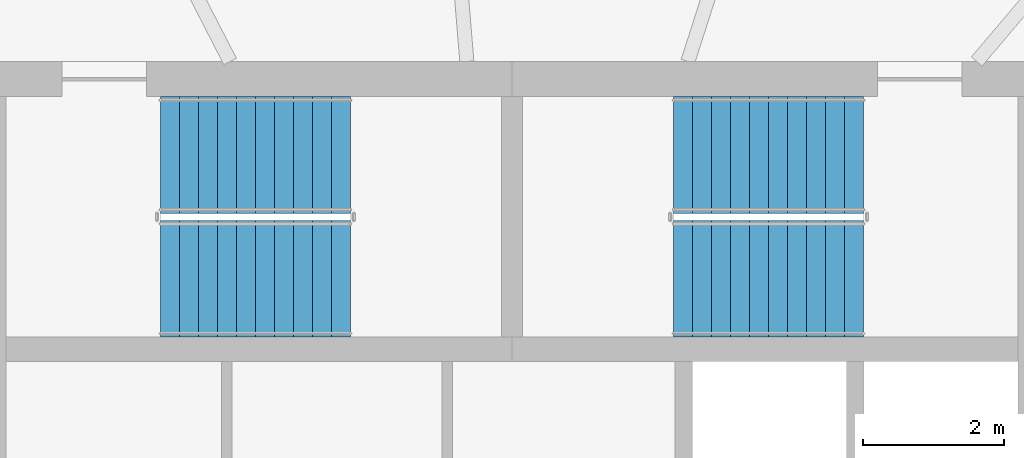
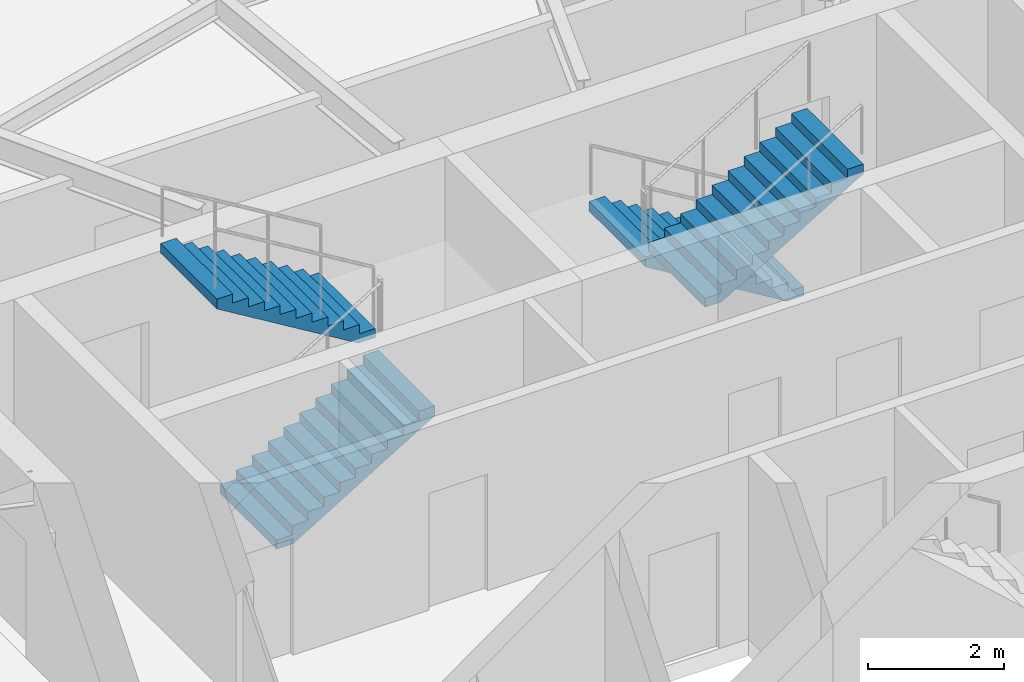
# One storey, part 11 of 15: 4 stair flights, 2 elements without a shape of their own.
"""IFC4 building model written with IfcOpenShell, lengths in metres."""

from ifc_helpers import new_model, si_unit, direction, frame, origin, place, context, subcontext, project, spatial, polyline, outline, extrude, material, type_object, element, aggregate, save


model = new_model("IFC4")

# Units and contexts
model_context = context("Model", 3, precision=1e-05, world=origin(), true_north=direction((0.0, 1.0)))
body_context = subcontext(model_context, "Body", "Model", "MODEL_VIEW")
ifc_project = project(units=[si_unit("LENGTHUNIT", "METRE"), si_unit("AREAUNIT", "SQUARE_METRE"), si_unit("VOLUMEUNIT", "CUBIC_METRE"), si_unit("PLANEANGLEUNIT", "RADIAN"), si_unit("MASSUNIT", "GRAM", prefix="KILO")], contexts=[model_context])

# Site, building, storey
site_placement = place(None, origin())
site = spatial("IfcSite", under=ifc_project, at=site_placement, CompositionType="ELEMENT")
building_placement = place(site_placement, origin())
building = spatial("IfcBuilding", under=site, at=building_placement, Name="Vermilion Reach Broadcast Tower", CompositionType="ELEMENT")
storey_placement = place(building_placement, frame((0.0, 0.0, 261.300048828125)))
storey = spatial("IfcBuildingStorey", under=building, at=storey_placement, Name="L64", CompositionType="ELEMENT", Elevation=261.300048828125)

# Stair, stair flights
ifc_material_1 = material(Name="Concrete C40", Category="concrete")
stair_type = type_object("IfcStairType", Name="Exit stair RC 22 risers 164 mm", PredefinedType="HALF_TURN_STAIR", material=ifc_material_1)
placement = place(storey_placement, origin())
stair_1 = element("IfcStair", 1, at=placement, inside=storey, type_object=stair_type, Name="L64 Exit stair ST1", PredefinedType="HALF_TURN_STAIR")
ifc_material_2 = material(Name="Concrete C40", Category="concrete")
stair_flight_type = type_object("IfcStairFlightType", Name="Exit stair flight RC 11 risers", PredefinedType="STRAIGHT", material=ifc_material_2)
stair_flight_1_placement = place(storey_placement, frame((-11.0, 4.7099609375, 0.0), z_axis=(0.0, 0.0, 1.0), x_axis=(1.0, 0.0, 0.0)))
stair_flight_1 = element("IfcStairFlight", 2, at=stair_flight_1_placement, type_object=stair_flight_type, Name="ST1 flight 1", NumberOfRisers=11, NumberOfTreads=10, PredefinedType="STRAIGHT", RiserHeight=0.163636364, TreadLength=0.27, context=body_context, shape_type="SweptSolid", body=[
    extrude(outline(polyline([(0.0, 0.0), (0.0, 0.16357421875), (0.27001953125, 0.16357421875), (0.27001953125, 0.327392578125), (0.5400390625, 0.327392578125), (0.5400390625, 0.490966796875), (0.81005859375, 0.490966796875), (0.81005859375, 0.654541015625), (1.080078125, 0.654541015625), (1.080078125, 0.818115234375), (1.35009765625, 0.818115234375), (1.35009765625, 0.98193359375), (1.6201171875, 0.98193359375), (1.6201171875, 1.1455078125), (1.889892578125, 1.1455078125), (1.889892578125, 1.30908203125), (2.159912109375, 1.30908203125), (2.159912109375, 1.47265625), (2.429931640625, 1.47265625), (2.429931640625, 1.636474609375), (2.699951171875, 1.636474609375), (2.699951171875, 1.800048828125), (2.699951171875, 1.461181640625), (0.289306640625, 0.0), (0.0, 0.0)])), frame((0.0, 0.830078125, 0.0), z_axis=(0.0, -1.0, 0.0), x_axis=(1.0, 0.0, 0.0)), (0.0, 0.0, 1.0), 1.659912109375),
])
stair_flight_2_placement = place(storey_placement, frame((-8.300048828125, 6.469970703125, 1.800048828125), z_axis=(0.0, 0.0, 1.0), x_axis=(-1.0, 0.0, 0.0)))
stair_flight_2 = element("IfcStairFlight", 3, at=stair_flight_2_placement, type_object=stair_flight_type, Name="ST1 flight 2", NumberOfRisers=11, NumberOfTreads=10, PredefinedType="STRAIGHT", RiserHeight=0.163636364, TreadLength=0.27, context=body_context, shape_type="SweptSolid", body=[
    extrude(outline(polyline([(0.0, 0.0), (0.0, 0.16357421875), (0.27001953125, 0.16357421875), (0.27001953125, 0.327392578125), (0.5400390625, 0.327392578125), (0.5400390625, 0.490966796875), (0.81005859375, 0.490966796875), (0.81005859375, 0.654541015625), (1.080078125, 0.654541015625), (1.080078125, 0.818115234375), (1.35009765625, 0.818115234375), (1.35009765625, 0.98193359375), (1.6201171875, 0.98193359375), (1.6201171875, 1.1455078125), (1.889892578125, 1.1455078125), (1.889892578125, 1.30908203125), (2.159912109375, 1.30908203125), (2.159912109375, 1.47265625), (2.429931640625, 1.47265625), (2.429931640625, 1.636474609375), (2.699951171875, 1.636474609375), (2.699951171875, 1.800048828125), (2.699951171875, 1.461181640625), (0.289306640625, 0.0), (0.0, 0.0)])), frame((0.0, 0.830078125, 0.0), z_axis=(0.0, -1.0, 0.0), x_axis=(1.0, 0.0, 0.0)), (0.0, 0.0, 1.0), 1.659912109375),
])
aggregate(stair_1, [stair_flight_1, stair_flight_2])

stair_2 = element("IfcStair", 4, at=placement, inside=storey, type_object=stair_type, Name="L64 Exit stair ST2", PredefinedType="HALF_TURN_STAIR")
stair_flight_3_placement = place(storey_placement, frame((-1.0, 6.469970703125, 0.0), z_axis=(0.0, 0.0, 1.0), x_axis=(-1.0, 0.0, 0.0)))
stair_flight_3 = element("IfcStairFlight", 5, at=stair_flight_3_placement, type_object=stair_flight_type, Name="ST2 flight 1", NumberOfRisers=11, NumberOfTreads=10, PredefinedType="STRAIGHT", RiserHeight=0.163636364, TreadLength=0.27, context=body_context, shape_type="SweptSolid", body=[
    extrude(outline(polyline([(0.0, 0.0), (0.0, 0.16357421875), (0.27001953125, 0.16357421875), (0.27001953125, 0.327392578125), (0.5400390625, 0.327392578125), (0.5400390625, 0.490966796875), (0.81005859375, 0.490966796875), (0.81005859375, 0.654541015625), (1.080078125, 0.654541015625), (1.080078125, 0.818115234375), (1.35009765625, 0.818115234375), (1.35009765625, 0.98193359375), (1.6201171875, 0.98193359375), (1.6201171875, 1.1455078125), (1.889892578125, 1.1455078125), (1.889892578125, 1.30908203125), (2.159912109375, 1.30908203125), (2.159912109375, 1.47265625), (2.429931640625, 1.47265625), (2.429931640625, 1.636474609375), (2.699951171875, 1.636474609375), (2.699951171875, 1.800048828125), (2.699951171875, 1.461181640625), (0.289306640625, 0.0), (0.0, 0.0)])), frame((0.0, 0.830078125, 0.0), z_axis=(0.0, -1.0, 0.0), x_axis=(1.0, 0.0, 0.0)), (0.0, 0.0, 1.0), 1.659912109375),
])
stair_flight_4_placement = place(storey_placement, frame((-3.699951171875, 4.7099609375, 1.800048828125), z_axis=(0.0, 0.0, 1.0), x_axis=(1.0, 0.0, 0.0)))
stair_flight_4 = element("IfcStairFlight", 6, at=stair_flight_4_placement, type_object=stair_flight_type, Name="ST2 flight 2", NumberOfRisers=11, NumberOfTreads=10, PredefinedType="STRAIGHT", RiserHeight=0.163636364, TreadLength=0.27, context=body_context, shape_type="SweptSolid", body=[
    extrude(outline(polyline([(0.0, 0.0), (0.0, 0.16357421875), (0.27001953125, 0.16357421875), (0.27001953125, 0.327392578125), (0.5400390625, 0.327392578125), (0.5400390625, 0.490966796875), (0.81005859375, 0.490966796875), (0.81005859375, 0.654541015625), (1.080078125, 0.654541015625), (1.080078125, 0.818115234375), (1.35009765625, 0.818115234375), (1.35009765625, 0.98193359375), (1.6201171875, 0.98193359375), (1.6201171875, 1.1455078125), (1.889892578125, 1.1455078125), (1.889892578125, 1.30908203125), (2.159912109375, 1.30908203125), (2.159912109375, 1.47265625), (2.429931640625, 1.47265625), (2.429931640625, 1.636474609375), (2.699951171875, 1.636474609375), (2.699951171875, 1.800048828125), (2.699951171875, 1.461181640625), (0.289306640625, 0.0), (0.0, 0.0)])), frame((0.0, 0.830078125, 0.0), z_axis=(0.0, -1.0, 0.0), x_axis=(1.0, 0.0, 0.0)), (0.0, 0.0, 1.0), 1.659912109375),
])
aggregate(stair_2, [stair_flight_3, stair_flight_4])

save(model, "model.ifc")
